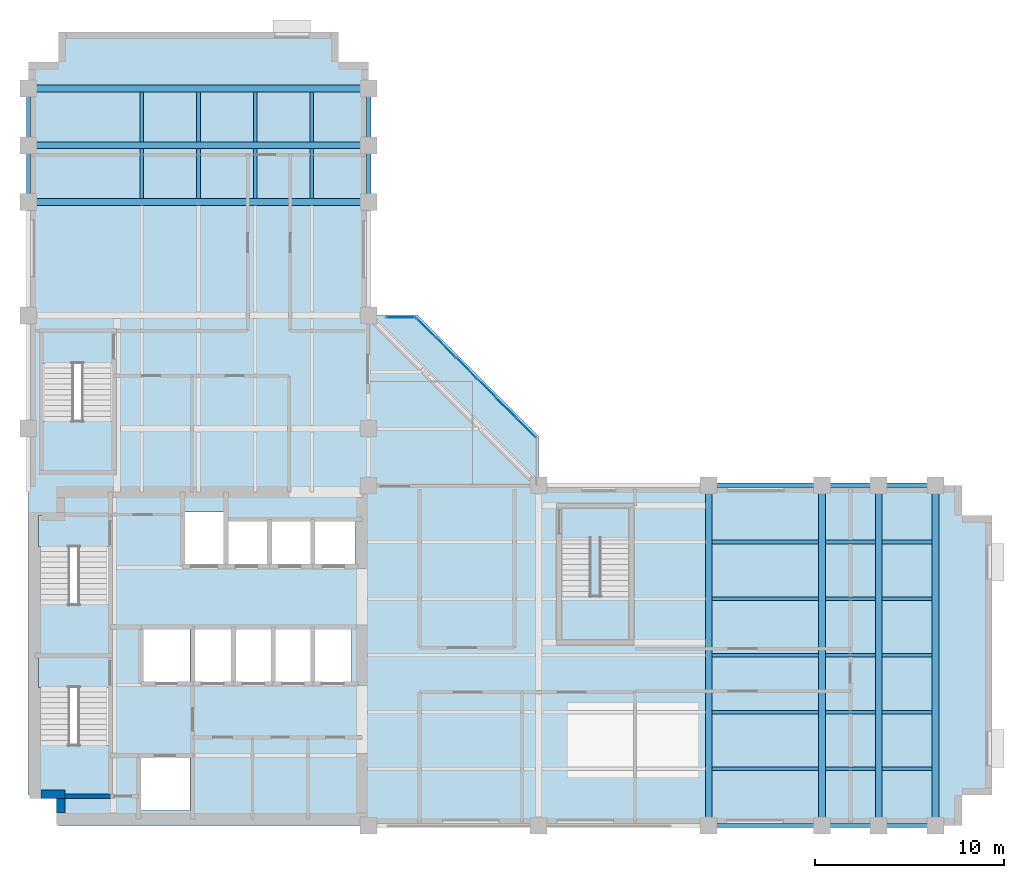
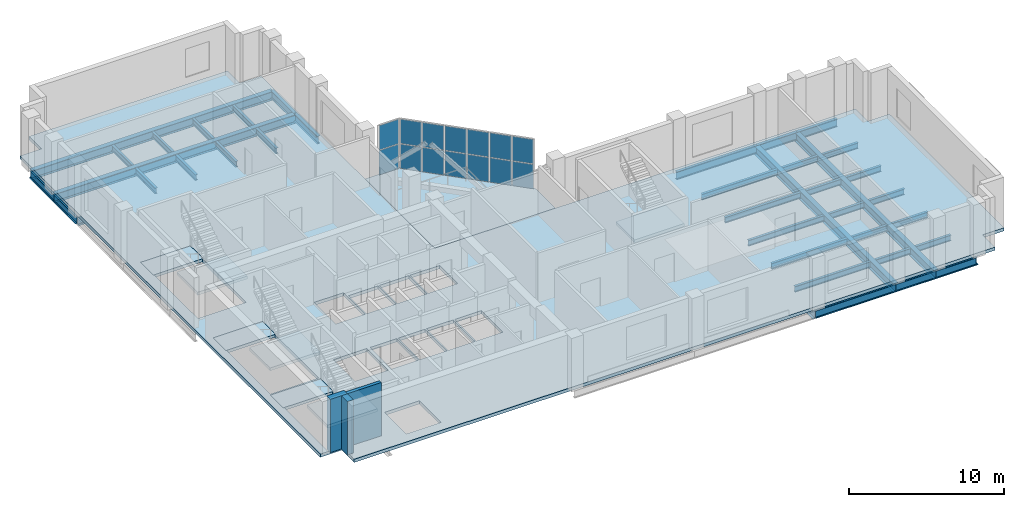
# One storey, part 4 of 9: 40 beams, 14 plates, 9 slabs, 3 walls, 6 elements without a shape of their own.
"""IFC4 building model written with IfcOpenShell, lengths in metres."""

import ifcopenshell
import ifcopenshell.guid

model = None  # the IFC model being written
_history = None  # IfcOwnerHistory: only IFC2X3 demands one
_inside = {}  # id of a spatial element -> (the spatial element, [elements in it])
_under = {}  # id of a project, library or spatial element -> (it, [spatial elements below it])
_declared = {}  # id of a project -> (the project, [libraries it declares])
_typed = {}  # id of a type object -> (the type object, [elements of that type])
_made_of = {}  # id of a material, layer set ... -> (it, [elements and type objects made of it])


def new_model(schema):
    """Start an empty IFC model of exactly this schema.

    Asked for "IFC4X3", IfcOpenShell would pick the latest addendum, in which some entities
    have other attributes; the version numbers below select the first issue.
    IFC2X3 requires an IfcOwnerHistory on every rooted entity: one is made here for all.
    """
    global model, _history
    if schema == "IFC4X3":
        model = ifcopenshell.file(schema_version=(4, 3, 0, 0))
    else:
        model = ifcopenshell.file(schema=schema)
    _inside.clear()
    _under.clear()
    _declared.clear()
    _typed.clear()
    _made_of.clear()
    _history = None
    if model.schema == "IFC2X3":
        org = make("IfcOrganization", Name="unknown")
        user = make(
            "IfcPersonAndOrganization",
            ThePerson=make("IfcPerson", FamilyName="unknown"),
            TheOrganization=org,
        )
        app = make(
            "IfcApplication",
            ApplicationDeveloper=org,
            Version="unknown",
            ApplicationFullName="unknown",
            ApplicationIdentifier="unknown",
        )
        _history = make(
            "IfcOwnerHistory",
            OwningUser=user,
            OwningApplication=app,
            ChangeAction="ADDED",
            CreationDate=0,
        )
    return model


def make(cls, **values):
    """One entity of the class cls with the attributes given. An attribute that is None is left unset."""
    return model.create_entity(
        cls, **{name: value for name, value in values.items() if value is not None}
    )


def rooted(cls, **values):
    """An entity with a GlobalId (a new one), such as an element, a storey or a relation."""
    return make(cls, GlobalId=ifcopenshell.guid.new(), OwnerHistory=_history, **values)


def si_unit(unit_type, name, prefix=None):
    """IfcSIUnit, for example si_unit("LENGTHUNIT", "METRE", prefix="MILLI")."""
    return make("IfcSIUnit", UnitType=unit_type, Prefix=prefix, Name=name)


def assignment(units):
    """IfcUnitAssignment: the units of a project."""
    return None if units is None else make("IfcUnitAssignment", Units=units)


def point(xyz):
    """IfcCartesianPoint."""
    return None if xyz is None else make("IfcCartesianPoint", Coordinates=xyz)


def direction(xyz):
    """IfcDirection."""
    return None if xyz is None else make("IfcDirection", DirectionRatios=xyz)


def frame(location, z_axis=None, x_axis=None):
    """IfcAxis2Placement3D, a coordinate frame: its origin and axes. An axis left out is left unset."""
    return make(
        "IfcAxis2Placement3D",
        Location=point(location),
        Axis=direction(z_axis),
        RefDirection=direction(x_axis),
    )


def frame_2d(location, x_axis=None):
    """IfcAxis2Placement2D, a coordinate frame in the plane: its origin and x axis."""
    return make(
        "IfcAxis2Placement2D", Location=point(location), RefDirection=direction(x_axis)
    )


def origin():
    """The frame at (0, 0, 0) with its axes left unset."""
    return frame((0.0, 0.0, 0.0))


def origin_2d():
    """The frame at (0, 0) in the plane with its x axis left unset."""
    return frame_2d((0.0, 0.0))


def place(relative_to, where):
    """IfcLocalPlacement: puts the frame where relative to a parent placement (None: the world)."""
    return make(
        "IfcLocalPlacement", PlacementRelTo=relative_to, RelativePlacement=where
    )


def context(
    kind, dimensions, precision=None, world=None, true_north=None, identifier=None
):
    """IfcGeometricRepresentationContext, for example the 3D "Model" context."""
    return make(
        "IfcGeometricRepresentationContext",
        ContextIdentifier=identifier,
        ContextType=kind,
        CoordinateSpaceDimension=dimensions,
        Precision=precision,
        WorldCoordinateSystem=world,
        TrueNorth=true_north,
    )


def subcontext(parent, identifier, kind, view, scale=None):
    """IfcGeometricRepresentationSubContext, for example "Body" below "Model"."""
    return make(
        "IfcGeometricRepresentationSubContext",
        ContextIdentifier=identifier,
        ContextType=kind,
        ParentContext=parent,
        TargetScale=scale,
        TargetView=view,
    )


def project(units=None, contexts=None):
    """IfcProject with its units and contexts."""
    return rooted(
        "IfcProject",
        Name="project",
        RepresentationContexts=contexts,
        UnitsInContext=assignment(units),
    )


def spatial(cls, under=None, at=None, **own):
    """A site, building, storey or space (cls), placed at a placement, below another one or the project."""
    s = rooted(cls, ObjectPlacement=at, **own)
    if under is not None:
        _under.setdefault(under.id(), (under, []))[1].append(s)
    return s


def polyline(points):
    """IfcPolyline through the points."""
    return make("IfcPolyline", Points=[point(p) for p in points])


def profile(cls, at=None, kind="AREA", **sizes):
    """A parametric profile (cls). Its sizes go by their IFC names, for example OverallWidth=200.0."""
    return make(cls, ProfileType=kind, Position=at, **sizes)


def rectangle(**sizes):
    """IfcRectangleProfileDef."""
    return profile("IfcRectangleProfileDef", **sizes)


def i_section(**sizes):
    """IfcIShapeProfileDef."""
    return profile("IfcIShapeProfileDef", **sizes)


def outline(outer, holes=None, kind="AREA"):
    """IfcArbitraryClosedProfileDef: a profile drawn as a closed curve; with holes, ...WithVoids."""
    if holes is None:
        return make("IfcArbitraryClosedProfileDef", ProfileType=kind, OuterCurve=outer)
    return make(
        "IfcArbitraryProfileDefWithVoids",
        ProfileType=kind,
        OuterCurve=outer,
        InnerCurves=holes,
    )


def extrude(swept, where, along, depth):
    """IfcExtrudedAreaSolid: the profile swept, set in the frame where, extruded along a direction by depth."""
    return make(
        "IfcExtrudedAreaSolid",
        SweptArea=swept,
        Position=where,
        ExtrudedDirection=direction(along),
        Depth=depth,
    )


def shape(context_of_items, identifier, shape_type, items):
    """IfcShapeRepresentation: the items that make up one representation, for example the "Body"."""
    return make(
        "IfcShapeRepresentation",
        ContextOfItems=context_of_items,
        RepresentationIdentifier=identifier,
        RepresentationType=shape_type,
        Items=items,
    )


def material(Name=None, Category=None):
    """IfcMaterial."""
    return make("IfcMaterial", Name=Name, Category=Category)


def layer(
    of_material, thickness, ventilated=None, Name=None, Category=None, Priority=None
):
    """IfcMaterialLayer: one layer of a wall or slab, of a material (None: an air gap)."""
    return make(
        "IfcMaterialLayer",
        Material=of_material,
        LayerThickness=thickness,
        IsVentilated=ventilated,
        Name=Name,
        Category=Category,
        Priority=Priority,
    )


def layer_set(layers, Name=None):
    """IfcMaterialLayerSet."""
    return make("IfcMaterialLayerSet", MaterialLayers=layers, LayerSetName=Name)


def material_profile(
    of_material, cross_section, Name=None, Category=None, Priority=None
):
    """IfcMaterialProfile: a cross section and its material."""
    return make(
        "IfcMaterialProfile",
        Name=Name,
        Material=of_material,
        Profile=cross_section,
        Priority=Priority,
        Category=Category,
    )


def profile_set(profiles, Name=None, composite=None):
    """IfcMaterialProfileSet."""
    return make(
        "IfcMaterialProfileSet",
        Name=Name,
        MaterialProfiles=profiles,
        CompositeProfile=composite,
    )


def made_of(thing, what):
    """Note that an element or type object is made of a material, layer set ...; save() writes the relation."""
    if what is not None:
        _made_of.setdefault(what.id(), (what, []))[1].append(thing)
    return thing


def type_object(cls, material=None, **own):
    """A type object (cls), such as IfcWallType, which elements share."""
    return made_of(rooted(cls, **own), material)


def element(
    cls,
    number,
    at=None,
    inside=None,
    cuts=None,
    type_object=None,
    material=None,
    context=None,
    identifier="Body",
    shape_type=None,
    held_by="IfcProductDefinitionShape",
    body=None,
    shapes=None,
    **own,
):
    """One element of the class cls, such as IfcWall. Its Tag is "e" and its number.

    at: its placement. inside: the storey or other place that contains it. cuts: it is an
    opening in that element (IfcRelVoidsElement). A single representation is given by context,
    identifier, shape_type and body (its items); several are given by shapes. held_by: the class
    of the entity that holds the representations. save() writes the other relations.
    """
    e = rooted(cls, Tag="e%d" % number, ObjectPlacement=at, **own)
    if body is not None:
        shapes = [shape(context, identifier, shape_type, body)]
    if shapes is not None:
        e.Representation = make(held_by, Representations=shapes)
    if inside is not None:
        _inside.setdefault(inside.id(), (inside, []))[1].append(e)
    if cuts is not None:
        rooted(
            "IfcRelVoidsElement", RelatingBuildingElement=cuts, RelatedOpeningElement=e
        )
    if type_object is not None:
        _typed.setdefault(type_object.id(), (type_object, []))[1].append(e)
    return made_of(e, material)


def aggregate(whole, parts):
    """IfcRelAggregates: a whole, such as a stair, and the parts it consists of."""
    return rooted("IfcRelAggregates", RelatingObject=whole, RelatedObjects=parts)


def save(model, path):
    """Write the relations noted so far, then the file.

    IfcRelAggregates (storeys below a building ...), IfcRelContainedInSpatialStructure (elements
    in a storey), IfcRelDefinesByType, IfcRelAssociatesMaterial and IfcRelDeclares: one each for
    every whole, place, type object, material and project.
    """
    for whole, parts in _under.values():
        aggregate(whole, parts)
    for where, things in _inside.values():
        rooted(
            "IfcRelContainedInSpatialStructure",
            RelatedElements=things,
            RelatingStructure=where,
        )
    for kind, things in _typed.values():
        rooted("IfcRelDefinesByType", RelatedObjects=things, RelatingType=kind)
    for what, things in _made_of.values():
        rooted("IfcRelAssociatesMaterial", RelatedObjects=things, RelatingMaterial=what)
    for by, libraries in _declared.values():
        rooted("IfcRelDeclares", RelatingContext=by, RelatedDefinitions=libraries)
    model.write(path)


model = new_model("IFC4")

# Units and contexts
model_context = context("Model", 3, precision=1e-05, world=origin(), true_north=direction((0.0, 1.0)))
body_context = subcontext(model_context, "Body", "Model", "MODEL_VIEW")
ifc_project = project(units=[si_unit("LENGTHUNIT", "METRE"), si_unit("AREAUNIT", "SQUARE_METRE"), si_unit("VOLUMEUNIT", "CUBIC_METRE"), si_unit("PLANEANGLEUNIT", "RADIAN"), si_unit("MASSUNIT", "GRAM", prefix="KILO")], contexts=[model_context])

# Site, building, storey
site_placement = place(None, origin())
site = spatial("IfcSite", under=ifc_project, at=site_placement, CompositionType="ELEMENT")
building_placement = place(site_placement, origin())
building = spatial("IfcBuilding", under=site, at=building_placement, Name="Mawjdan Bourse Tower", CompositionType="ELEMENT")
storey_placement = place(building_placement, frame((0.0, 0.0, 160.199951171875)))
storey = spatial("IfcBuildingStorey", under=building, at=storey_placement, Name="L38", CompositionType="ELEMENT", Elevation=160.199951171875)

# Beams
ifc_material_1 = material(Name="Structural Steel S355", Category="steel")
ifc_material_profile_1 = material_profile(ifc_material_1, i_section(OverallWidth=0.35498046875, OverallDepth=0.696044921875, WebThickness=0.015380859375, FlangeThickness=0.02490234375, FilletRadius=0.019775390625, at=origin_2d()), Name="W27X146")
ifc_profile_set_1 = profile_set([ifc_material_profile_1], Name="Structural Steel S355")
beam_type_1 = type_object("IfcBeamType", Name="GRD-W27X146", PredefinedType="BEAM", material=ifc_profile_set_1)
for number, where, z_axis, x_axis, name in (
    (1, (42.0, 3.0, -0.597900390625), (0.0, 1.0, 0.0), (-1.0, 0.0, 0.0), "L38 East Wing Clear-Span Girder 003"),
    (2, (48.0, 3.0, -0.597900390625), (0.0, 1.0, 0.0), (-1.0, 0.0, 0.0), "L38 East Wing Clear-Span Girder 004"),
    (3, (51.0, 3.0, -0.597900390625), (0.0, 1.0, 0.0), (-1.0, 0.0, 0.0), "L38 East Wing Clear-Span Girder 005"),
    (4, (54.0, 3.0, -0.597900390625), (0.0, 1.0, 0.0), (-1.0, 0.0, 0.0), "L38 East Wing Clear-Span Girder 006"),
    (5, (6.0, 36.0, -0.597900390625), (1.0, 0.0, 0.0), (0.0, 1.0, 0.0), "L38 North Wing Clear-Span Girder 053"),
    (6, (6.0, 39.0, -0.597900390625), (1.0, 0.0, 0.0), (0.0, 1.0, 0.0), "L38 North Wing Clear-Span Girder 054"),
    (7, (6.0, 42.0, -0.597900390625), (1.0, 0.0, 0.0), (0.0, 1.0, 0.0), "L38 North Wing Clear-Span Girder 055"),
):
    element("IfcBeam", number, at=place(storey_placement, frame(where, z_axis=z_axis, x_axis=x_axis)), inside=storey, type_object=beam_type_1, Name=name, PredefinedType="BEAM", context=body_context, shape_type="SweptSolid", body=[
        extrude(i_section(OverallWidth=0.35498046875, OverallDepth=0.696044921875, WebThickness=0.015380859375, FlangeThickness=0.02490234375, FilletRadius=0.019775390625, at=origin_2d()), origin(), (0.0, 0.0, 1.0), 18.0),
    ])
ifc_material_profile_2 = material_profile(ifc_material_1, i_section(OverallWidth=0.19189453125, OverallDepth=0.462890625, WebThickness=0.010498046875, FlangeThickness=0.017578125, FilletRadius=0.01416015625, at=origin_2d()), Name="W18X60")
ifc_profile_set_2 = profile_set([ifc_material_profile_2], Name="Structural Steel S355")
beam_type_2 = type_object("IfcBeamType", Name="JST-W18X60", PredefinedType="JOIST", material=ifc_profile_set_2)
beam_1_placement = place(storey_placement, frame((42.175537109375, 6.0, -0.4814453125), z_axis=(1.0, 0.0, 0.0), x_axis=(0.0, 1.0, 0.0)))
element("IfcBeam", 8, at=beam_1_placement, inside=storey, type_object=beam_type_2, Name="L38 East Wing Composite Joist 019", PredefinedType="JOIST", context=body_context, shape_type="SweptSolid", body=[
    extrude(i_section(OverallWidth=0.19189453125, OverallDepth=0.462890625, WebThickness=0.010498046875, FlangeThickness=0.017578125, FilletRadius=0.01416015625, at=origin_2d()), origin(), (0.0, 0.0, 1.0), 5.64892578125),
])
for number, where, z_axis, x_axis, name in (
    (9, (48.175537109375, 6.0, -0.4814453125), (1.0, 0.0, 0.0), (0.0, 1.0, 0.0), "L38 East Wing Composite Joist 020"),
    (10, (51.175537109375, 6.0, -0.4814453125), (1.0, 0.0, 0.0), (0.0, 1.0, 0.0), "L38 East Wing Composite Joist 021"),
):
    element("IfcBeam", number, at=place(storey_placement, frame(where, z_axis=z_axis, x_axis=x_axis)), inside=storey, type_object=beam_type_2, Name=name, PredefinedType="JOIST", context=body_context, shape_type="SweptSolid", body=[
        extrude(i_section(OverallWidth=0.19189453125, OverallDepth=0.462890625, WebThickness=0.010498046875, FlangeThickness=0.017578125, FilletRadius=0.01416015625, at=origin_2d()), origin(), (0.0, 0.0, 1.0), 2.64892578125),
    ])
beam_2_placement = place(storey_placement, frame((42.175537109375, 9.0, -0.4814453125), z_axis=(1.0, 0.0, 0.0), x_axis=(0.0, 1.0, 0.0)))
element("IfcBeam", 11, at=beam_2_placement, inside=storey, type_object=beam_type_2, Name="L38 East Wing Composite Joist 024", PredefinedType="JOIST", context=body_context, shape_type="SweptSolid", body=[
    extrude(i_section(OverallWidth=0.19189453125, OverallDepth=0.462890625, WebThickness=0.010498046875, FlangeThickness=0.017578125, FilletRadius=0.01416015625, at=origin_2d()), origin(), (0.0, 0.0, 1.0), 5.64892578125),
])
for number, where, z_axis, x_axis, name in (
    (12, (48.175537109375, 9.0, -0.4814453125), (1.0, 0.0, 0.0), (0.0, 1.0, 0.0), "L38 East Wing Composite Joist 025"),
    (13, (51.175537109375, 9.0, -0.4814453125), (1.0, 0.0, 0.0), (0.0, 1.0, 0.0), "L38 East Wing Composite Joist 026"),
):
    element("IfcBeam", number, at=place(storey_placement, frame(where, z_axis=z_axis, x_axis=x_axis)), inside=storey, type_object=beam_type_2, Name=name, PredefinedType="JOIST", context=body_context, shape_type="SweptSolid", body=[
        extrude(i_section(OverallWidth=0.19189453125, OverallDepth=0.462890625, WebThickness=0.010498046875, FlangeThickness=0.017578125, FilletRadius=0.01416015625, at=origin_2d()), origin(), (0.0, 0.0, 1.0), 2.64892578125),
    ])
beam_3_placement = place(storey_placement, frame((42.175537109375, 12.0, -0.4814453125), z_axis=(1.0, 0.0, 0.0), x_axis=(0.0, 1.0, 0.0)))
element("IfcBeam", 14, at=beam_3_placement, inside=storey, type_object=beam_type_2, Name="L38 East Wing Composite Joist 029", PredefinedType="JOIST", context=body_context, shape_type="SweptSolid", body=[
    extrude(i_section(OverallWidth=0.19189453125, OverallDepth=0.462890625, WebThickness=0.010498046875, FlangeThickness=0.017578125, FilletRadius=0.01416015625, at=origin_2d()), origin(), (0.0, 0.0, 1.0), 5.64892578125),
])
for number, where, z_axis, x_axis, name in (
    (15, (48.175537109375, 12.0, -0.4814453125), (1.0, 0.0, 0.0), (0.0, 1.0, 0.0), "L38 East Wing Composite Joist 030"),
    (16, (51.175537109375, 12.0, -0.4814453125), (1.0, 0.0, 0.0), (0.0, 1.0, 0.0), "L38 East Wing Composite Joist 031"),
):
    element("IfcBeam", number, at=place(storey_placement, frame(where, z_axis=z_axis, x_axis=x_axis)), inside=storey, type_object=beam_type_2, Name=name, PredefinedType="JOIST", context=body_context, shape_type="SweptSolid", body=[
        extrude(i_section(OverallWidth=0.19189453125, OverallDepth=0.462890625, WebThickness=0.010498046875, FlangeThickness=0.017578125, FilletRadius=0.01416015625, at=origin_2d()), origin(), (0.0, 0.0, 1.0), 2.64892578125),
    ])
beam_4_placement = place(storey_placement, frame((42.175537109375, 15.0, -0.4814453125), z_axis=(1.0, 0.0, 0.0), x_axis=(0.0, 1.0, 0.0)))
element("IfcBeam", 17, at=beam_4_placement, inside=storey, type_object=beam_type_2, Name="L38 East Wing Composite Joist 034", PredefinedType="JOIST", context=body_context, shape_type="SweptSolid", body=[
    extrude(i_section(OverallWidth=0.19189453125, OverallDepth=0.462890625, WebThickness=0.010498046875, FlangeThickness=0.017578125, FilletRadius=0.01416015625, at=origin_2d()), origin(), (0.0, 0.0, 1.0), 5.64892578125),
])
for number, where, z_axis, x_axis, name in (
    (18, (48.175537109375, 15.0, -0.4814453125), (1.0, 0.0, 0.0), (0.0, 1.0, 0.0), "L38 East Wing Composite Joist 035"),
    (19, (51.175537109375, 15.0, -0.4814453125), (1.0, 0.0, 0.0), (0.0, 1.0, 0.0), "L38 East Wing Composite Joist 036"),
):
    element("IfcBeam", number, at=place(storey_placement, frame(where, z_axis=z_axis, x_axis=x_axis)), inside=storey, type_object=beam_type_2, Name=name, PredefinedType="JOIST", context=body_context, shape_type="SweptSolid", body=[
        extrude(i_section(OverallWidth=0.19189453125, OverallDepth=0.462890625, WebThickness=0.010498046875, FlangeThickness=0.017578125, FilletRadius=0.01416015625, at=origin_2d()), origin(), (0.0, 0.0, 1.0), 2.64892578125),
    ])
beam_5_placement = place(storey_placement, frame((42.175537109375, 18.0, -0.4814453125), z_axis=(1.0, 0.0, 0.0), x_axis=(0.0, 1.0, 0.0)))
element("IfcBeam", 20, at=beam_5_placement, inside=storey, type_object=beam_type_2, Name="L38 East Wing Composite Joist 039", PredefinedType="JOIST", context=body_context, shape_type="SweptSolid", body=[
    extrude(i_section(OverallWidth=0.19189453125, OverallDepth=0.462890625, WebThickness=0.010498046875, FlangeThickness=0.017578125, FilletRadius=0.01416015625, at=origin_2d()), origin(), (0.0, 0.0, 1.0), 5.64892578125),
])
for number, where, z_axis, x_axis, name in (
    (21, (48.175537109375, 18.0, -0.4814453125), (1.0, 0.0, 0.0), (0.0, 1.0, 0.0), "L38 East Wing Composite Joist 040"),
    (22, (51.175537109375, 18.0, -0.4814453125), (1.0, 0.0, 0.0), (0.0, 1.0, 0.0), "L38 East Wing Composite Joist 041"),
    (23, (12.0, 36.175537109375, -0.4814453125), (0.0, 1.0, 0.0), (-1.0, 0.0, 0.0), "L38 North Wing Composite Joist 069"),
    (24, (12.0, 39.175537109375, -0.4814453125), (0.0, 1.0, 0.0), (-1.0, 0.0, 0.0), "L38 North Wing Composite Joist 070"),
    (25, (15.0, 36.175537109375, -0.4814453125), (0.0, 1.0, 0.0), (-1.0, 0.0, 0.0), "L38 North Wing Composite Joist 074"),
    (26, (15.0, 39.175537109375, -0.4814453125), (0.0, 1.0, 0.0), (-1.0, 0.0, 0.0), "L38 North Wing Composite Joist 075"),
    (27, (18.0, 36.175537109375, -0.4814453125), (0.0, 1.0, 0.0), (-1.0, 0.0, 0.0), "L38 North Wing Composite Joist 079"),
    (28, (18.0, 39.175537109375, -0.4814453125), (0.0, 1.0, 0.0), (-1.0, 0.0, 0.0), "L38 North Wing Composite Joist 080"),
    (29, (21.0, 36.175537109375, -0.4814453125), (0.0, 1.0, 0.0), (-1.0, 0.0, 0.0), "L38 North Wing Composite Joist 084"),
    (30, (21.0, 39.175537109375, -0.4814453125), (0.0, 1.0, 0.0), (-1.0, 0.0, 0.0), "L38 North Wing Composite Joist 085"),
):
    element("IfcBeam", number, at=place(storey_placement, frame(where, z_axis=z_axis, x_axis=x_axis)), inside=storey, type_object=beam_type_2, Name=name, PredefinedType="JOIST", context=body_context, shape_type="SweptSolid", body=[
        extrude(i_section(OverallWidth=0.19189453125, OverallDepth=0.462890625, WebThickness=0.010498046875, FlangeThickness=0.017578125, FilletRadius=0.01416015625, at=origin_2d()), origin(), (0.0, 0.0, 1.0), 2.64892578125),
    ])
ifc_material_profile_3 = material_profile(ifc_material_1, i_section(OverallWidth=0.22998046875, OverallDepth=0.616943359375, WebThickness=0.01318359375, FlangeThickness=0.022216796875, FilletRadius=0.017822265625, at=origin_2d()), Name="W24X94")
ifc_profile_set_3 = profile_set([ifc_material_profile_3], Name="Structural Steel S355")
beam_type_3 = type_object("IfcBeamType", Name="SPN-W24X94", PredefinedType="SPANDREL", material=ifc_profile_set_3)
beam_6_placement = place(storey_placement, frame((42.0, 3.0, -0.558349609375), z_axis=(1.0, 0.0, 0.0), x_axis=(0.0, 1.0, 0.0)))
element("IfcBeam", 31, at=beam_6_placement, inside=storey, type_object=beam_type_3, Name="L38 Perimeter Masonry-Shelf Spandrel 009", PredefinedType="SPANDREL", context=body_context, shape_type="SweptSolid", body=[
    extrude(i_section(OverallWidth=0.22998046875, OverallDepth=0.616943359375, WebThickness=0.01318359375, FlangeThickness=0.022216796875, FilletRadius=0.017822265625, at=origin_2d()), origin(), (0.0, 0.0, 1.0), 6.0),
])
for number, where, z_axis, x_axis, name in (
    (32, (48.0, 3.0, -0.558349609375), (1.0, 0.0, 0.0), (0.0, 1.0, 0.0), "L38 Perimeter Masonry-Shelf Spandrel 010"),
    (33, (51.0, 3.0, -0.558349609375), (1.0, 0.0, 0.0), (0.0, 1.0, 0.0), "L38 Perimeter Masonry-Shelf Spandrel 011"),
):
    element("IfcBeam", number, at=place(storey_placement, frame(where, z_axis=z_axis, x_axis=x_axis)), inside=storey, type_object=beam_type_3, Name=name, PredefinedType="SPANDREL", context=body_context, shape_type="SweptSolid", body=[
        extrude(i_section(OverallWidth=0.22998046875, OverallDepth=0.616943359375, WebThickness=0.01318359375, FlangeThickness=0.022216796875, FilletRadius=0.017822265625, at=origin_2d()), origin(), (0.0, 0.0, 1.0), 3.0),
    ])
beam_7_placement = place(storey_placement, frame((42.0, 21.0, -0.558349609375), z_axis=(1.0, 0.0, 0.0), x_axis=(0.0, 1.0, 0.0)))
element("IfcBeam", 34, at=beam_7_placement, inside=storey, type_object=beam_type_3, Name="L38 Perimeter Masonry-Shelf Spandrel 014", PredefinedType="SPANDREL", context=body_context, shape_type="SweptSolid", body=[
    extrude(i_section(OverallWidth=0.22998046875, OverallDepth=0.616943359375, WebThickness=0.01318359375, FlangeThickness=0.022216796875, FilletRadius=0.017822265625, at=origin_2d()), origin(), (0.0, 0.0, 1.0), 6.0),
])
for number, where, z_axis, x_axis, name in (
    (35, (48.0, 21.0, -0.558349609375), (1.0, 0.0, 0.0), (0.0, 1.0, 0.0), "L38 Perimeter Masonry-Shelf Spandrel 015"),
    (36, (51.0, 21.0, -0.558349609375), (1.0, 0.0, 0.0), (0.0, 1.0, 0.0), "L38 Perimeter Masonry-Shelf Spandrel 016"),
    (37, (6.0, 36.0, -0.558349609375), (0.0, 1.0, 0.0), (-1.0, 0.0, 0.0), "L38 North Wing Spandrel 059"),
    (38, (6.0, 39.0, -0.558349609375), (0.0, 1.0, 0.0), (-1.0, 0.0, 0.0), "L38 North Wing Spandrel 060"),
    (39, (24.0, 36.0, -0.558349609375), (0.0, 1.0, 0.0), (-1.0, 0.0, 0.0), "L38 North Wing Spandrel 064"),
    (40, (24.0, 39.0, -0.558349609375), (0.0, 1.0, 0.0), (-1.0, 0.0, 0.0), "L38 North Wing Spandrel 065"),
):
    element("IfcBeam", number, at=place(storey_placement, frame(where, z_axis=z_axis, x_axis=x_axis)), inside=storey, type_object=beam_type_3, Name=name, PredefinedType="SPANDREL", context=body_context, shape_type="SweptSolid", body=[
        extrude(i_section(OverallWidth=0.22998046875, OverallDepth=0.616943359375, WebThickness=0.01318359375, FlangeThickness=0.022216796875, FilletRadius=0.017822265625, at=origin_2d()), origin(), (0.0, 0.0, 1.0), 3.0),
    ])

# Curtain wall, plates
ifc_material_2 = material(Name="Thermally Broken Aluminium and Solar Glass", Category="aluminium")
ifc_layer_1 = layer(ifc_material_2, 0.219970703125)
ifc_layer_set_1 = layer_set([ifc_layer_1], Name="Thermally Broken Aluminium and Solar Glass")
curtain_wall_type = type_object("IfcCurtainWallType", Name="CW-BRG", PredefinedType="USERDEFINED", material=ifc_layer_set_1)
curtain_wall_1_placement = place(storey_placement, origin())
curtain_wall_1 = element("IfcCurtainWall", 41, at=curtain_wall_1_placement, inside=storey, type_object=curtain_wall_type, Name="L38 Atrium Sky Bridge Diagonal Curtain Wall", ObjectType="SKY BRIDGE CURTAIN WALL", PredefinedType="USERDEFINED")
ifc_material_3 = material(Name="Acoustic Laminated Sky-Bridge Glass", Category="glass")
ifc_layer_2 = layer(ifc_material_3, 0.033935546875)
ifc_layer_set_2 = layer_set([ifc_layer_2], Name="Acoustic Laminated Sky-Bridge Glass")
plate_type = type_object("IfcPlateType", Name="PNL-CW-BRG", PredefinedType="CURTAIN_PANEL", material=ifc_layer_set_2)
plate_1_placement = place(storey_placement, frame((32.3369140625, 24.043212890625, 0.05517578125), z_axis=(0.0, 0.0, 1.0), x_axis=(-0.707106781187, 0.707106781187, 0.0)))
plate_1 = element("IfcPlate", 42, at=plate_1_placement, type_object=plate_type, Name="CW-BRG-L38-BRG-DIAG panel 1.1", PredefinedType="CURTAIN_PANEL", context=body_context, shape_type="SweptSolid", body=[
    extrude(rectangle(XDim=1.40625, YDim=0.033935546875, at=origin_2d()), origin(), (0.0, 0.0, 1.0), 1.91748046875),
])
plate_2_placement = place(storey_placement, frame((32.3369140625, 24.043212890625, 2.027587890625), z_axis=(0.0, 0.0, 1.0), x_axis=(-0.707106781187, 0.707106781187, 0.0)))
plate_2 = element("IfcPlate", 43, at=plate_2_placement, type_object=plate_type, Name="CW-BRG-L38-BRG-DIAG panel 1.2", PredefinedType="CURTAIN_PANEL", context=body_context, shape_type="SweptSolid", body=[
    extrude(rectangle(XDim=1.40625, YDim=0.033935546875, at=origin_2d()), origin(), (0.0, 0.0, 1.0), 1.91748046875),
])
plate_3_placement = place(storey_placement, frame((31.284912109375, 25.094970703125, 0.05517578125), z_axis=(0.0, 0.0, 1.0), x_axis=(-0.707106781187, 0.707106781187, 0.0)))
plate_3 = element("IfcPlate", 44, at=plate_3_placement, type_object=plate_type, Name="CW-BRG-L38-BRG-DIAG panel 2.1", PredefinedType="CURTAIN_PANEL", context=body_context, shape_type="SweptSolid", body=[
    extrude(rectangle(XDim=1.438720703125, YDim=0.033935546875, at=origin_2d()), origin(), (0.0, 0.0, 1.0), 1.91748046875),
])
plate_4_placement = place(storey_placement, frame((31.284912109375, 25.094970703125, 2.027587890625), z_axis=(0.0, 0.0, 1.0), x_axis=(-0.707106781187, 0.707106781187, 0.0)))
plate_4 = element("IfcPlate", 45, at=plate_4_placement, type_object=plate_type, Name="CW-BRG-L38-BRG-DIAG panel 2.2", PredefinedType="CURTAIN_PANEL", context=body_context, shape_type="SweptSolid", body=[
    extrude(rectangle(XDim=1.438720703125, YDim=0.033935546875, at=origin_2d()), origin(), (0.0, 0.0, 1.0), 1.91748046875),
])
plate_5_placement = place(storey_placement, frame((30.2216796875, 26.158447265625, 0.05517578125), z_axis=(0.0, 0.0, 1.0), x_axis=(-0.707106781187, 0.707106781187, 0.0)))
plate_5 = element("IfcPlate", 46, at=plate_5_placement, type_object=plate_type, Name="CW-BRG-L38-BRG-DIAG panel 3.1", PredefinedType="CURTAIN_PANEL", context=body_context, shape_type="SweptSolid", body=[
    extrude(rectangle(XDim=1.438720703125, YDim=0.033935546875, at=origin_2d()), origin(), (0.0, 0.0, 1.0), 1.91748046875),
])
plate_6_placement = place(storey_placement, frame((30.2216796875, 26.158447265625, 2.027587890625), z_axis=(0.0, 0.0, 1.0), x_axis=(-0.707106781187, 0.707106781187, 0.0)))
plate_6 = element("IfcPlate", 47, at=plate_6_placement, type_object=plate_type, Name="CW-BRG-L38-BRG-DIAG panel 3.2", PredefinedType="CURTAIN_PANEL", context=body_context, shape_type="SweptSolid", body=[
    extrude(rectangle(XDim=1.438720703125, YDim=0.033935546875, at=origin_2d()), origin(), (0.0, 0.0, 1.0), 1.91748046875),
])
plate_7_placement = place(storey_placement, frame((29.158447265625, 27.2216796875, 0.05517578125), z_axis=(0.0, 0.0, 1.0), x_axis=(-0.707106781187, 0.707106781187, 0.0)))
plate_7 = element("IfcPlate", 48, at=plate_7_placement, type_object=plate_type, Name="CW-BRG-L38-BRG-DIAG panel 4.1", PredefinedType="CURTAIN_PANEL", context=body_context, shape_type="SweptSolid", body=[
    extrude(rectangle(XDim=1.438720703125, YDim=0.033935546875, at=origin_2d()), origin(), (0.0, 0.0, 1.0), 1.91748046875),
])
plate_8_placement = place(storey_placement, frame((29.158447265625, 27.2216796875, 2.027587890625), z_axis=(0.0, 0.0, 1.0), x_axis=(-0.707106781187, 0.707106781187, 0.0)))
plate_8 = element("IfcPlate", 49, at=plate_8_placement, type_object=plate_type, Name="CW-BRG-L38-BRG-DIAG panel 4.2", PredefinedType="CURTAIN_PANEL", context=body_context, shape_type="SweptSolid", body=[
    extrude(rectangle(XDim=1.438720703125, YDim=0.033935546875, at=origin_2d()), origin(), (0.0, 0.0, 1.0), 1.91748046875),
])
plate_9_placement = place(storey_placement, frame((28.094970703125, 28.284912109375, 0.05517578125), z_axis=(0.0, 0.0, 1.0), x_axis=(-0.707106781187, 0.707106781187, 0.0)))
plate_9 = element("IfcPlate", 50, at=plate_9_placement, type_object=plate_type, Name="CW-BRG-L38-BRG-DIAG panel 5.1", PredefinedType="CURTAIN_PANEL", context=body_context, shape_type="SweptSolid", body=[
    extrude(rectangle(XDim=1.438720703125, YDim=0.033935546875, at=origin_2d()), origin(), (0.0, 0.0, 1.0), 1.91748046875),
])
plate_10_placement = place(storey_placement, frame((28.094970703125, 28.284912109375, 2.027587890625), z_axis=(0.0, 0.0, 1.0), x_axis=(-0.707106781187, 0.707106781187, 0.0)))
plate_10 = element("IfcPlate", 51, at=plate_10_placement, type_object=plate_type, Name="CW-BRG-L38-BRG-DIAG panel 5.2", PredefinedType="CURTAIN_PANEL", context=body_context, shape_type="SweptSolid", body=[
    extrude(rectangle(XDim=1.438720703125, YDim=0.033935546875, at=origin_2d()), origin(), (0.0, 0.0, 1.0), 1.91748046875),
])
plate_11_placement = place(storey_placement, frame((27.043212890625, 29.3369140625, 0.05517578125), z_axis=(0.0, 0.0, 1.0), x_axis=(-0.707106781187, 0.707106781187, 0.0)))
plate_11 = element("IfcPlate", 52, at=plate_11_placement, type_object=plate_type, Name="CW-BRG-L38-BRG-DIAG panel 6.1", PredefinedType="CURTAIN_PANEL", context=body_context, shape_type="SweptSolid", body=[
    extrude(rectangle(XDim=1.40625, YDim=0.033935546875, at=origin_2d()), origin(), (0.0, 0.0, 1.0), 1.91748046875),
])
plate_12_placement = place(storey_placement, frame((27.043212890625, 29.3369140625, 2.027587890625), z_axis=(0.0, 0.0, 1.0), x_axis=(-0.707106781187, 0.707106781187, 0.0)))
plate_12 = element("IfcPlate", 53, at=plate_12_placement, type_object=plate_type, Name="CW-BRG-L38-BRG-DIAG panel 6.2", PredefinedType="CURTAIN_PANEL", context=body_context, shape_type="SweptSolid", body=[
    extrude(rectangle(XDim=1.40625, YDim=0.033935546875, at=origin_2d()), origin(), (0.0, 0.0, 1.0), 1.91748046875),
])
aggregate(curtain_wall_1, [plate_1, plate_2, plate_3, plate_4, plate_5, plate_6, plate_7, plate_8, plate_9, plate_10, plate_11, plate_12])

curtain_wall_2_placement = place(storey_placement, origin())
curtain_wall_2 = element("IfcCurtainWall", 54, at=curtain_wall_2_placement, inside=storey, type_object=curtain_wall_type, Name="L38 Atrium Sky Bridge North Return Curtain Wall", ObjectType="SKY BRIDGE CURTAIN WALL", PredefinedType="USERDEFINED")
plate_13_placement = place(storey_placement, frame((25.699951171875, 29.8798828125, 0.05517578125), z_axis=(0.0, 0.0, 1.0), x_axis=(-1.0, 0.0, 0.0)))
plate_13 = element("IfcPlate", 55, at=plate_13_placement, type_object=plate_type, Name="CW-BRG-L38-BRG-N panel 1.1", PredefinedType="CURTAIN_PANEL", context=body_context, shape_type="SweptSolid", body=[
    extrude(rectangle(XDim=1.469970703125, YDim=0.033935546875, at=origin_2d()), origin(), (0.0, 0.0, 1.0), 1.91748046875),
])
plate_14_placement = place(storey_placement, frame((25.699951171875, 29.8798828125, 2.027587890625), z_axis=(0.0, 0.0, 1.0), x_axis=(-1.0, 0.0, 0.0)))
plate_14 = element("IfcPlate", 56, at=plate_14_placement, type_object=plate_type, Name="CW-BRG-L38-BRG-N panel 1.2", PredefinedType="CURTAIN_PANEL", context=body_context, shape_type="SweptSolid", body=[
    extrude(rectangle(XDim=1.469970703125, YDim=0.033935546875, at=origin_2d()), origin(), (0.0, 0.0, 1.0), 1.91748046875),
])
aggregate(curtain_wall_2, [plate_13, plate_14])

# Stair, slabs
ifc_material_4 = material(Name="Concrete C50/60", Category="concrete")
stair_type_1 = type_object("IfcStairType", Name="STR-CORE-1500", PredefinedType="HALF_TURN_STAIR", material=ifc_material_4)
stair_1_placement = place(storey_placement, origin())
stair_1 = element("IfcStair", 57, at=stair_1_placement, inside=storey, type_object=stair_type_1, Name="L38 Exit Stair 1 (Core South-West)", PredefinedType="HALF_TURN_STAIR")
ifc_layer_3 = layer(ifc_material_4, 0.22998046875)
ifc_layer_set_3 = layer_set([ifc_layer_3], Name="Concrete C50/60")
slab_type_1 = type_object("IfcSlabType", Name="SL-LND-230", PredefinedType="LANDING", material=ifc_layer_set_3)
slab_1_placement = place(storey_placement, frame((0.0, 0.0, -0.22998046875)))
slab_1 = element("IfcSlab", 58, at=slab_1_placement, type_object=slab_type_1, Name="ST1-L38 landing 1", PredefinedType="LANDING", context=body_context, shape_type="SweptSolid", body=[
    extrude(outline(polyline([(6.5400390625, 10.31005859375), (10.260009765625, 10.31005859375), (10.260009765625, 11.969970703125), (6.5400390625, 11.969970703125), (6.5400390625, 10.31005859375)])), origin(), (0.0, 0.0, 1.0), 0.22998046875),
])
slab_2_placement = place(storey_placement, frame((0.0, 0.0, 1.8701171875)))
slab_2 = element("IfcSlab", 59, at=slab_2_placement, type_object=slab_type_1, Name="ST1-L38 landing 2", PredefinedType="LANDING", context=body_context, shape_type="SweptSolid", body=[
    extrude(outline(polyline([(6.5400390625, 4.590087890625), (10.260009765625, 4.590087890625), (10.260009765625, 7.2548828125), (6.5400390625, 7.2548828125), (6.5400390625, 4.590087890625)])), origin(), (0.0, 0.0, 1.0), 0.22998046875),
])
aggregate(stair_1, [slab_1, slab_2])

stair_2_placement = place(storey_placement, origin())
stair_2 = element("IfcStair", 60, at=stair_2_placement, inside=storey, type_object=stair_type_1, Name="L38 Exit Stair 2 (Core North-West)", PredefinedType="HALF_TURN_STAIR")
slab_3_placement = place(storey_placement, frame((0.0, 0.0, -0.22998046875)))
slab_3 = element("IfcSlab", 61, at=slab_3_placement, type_object=slab_type_1, Name="ST2-L38 landing 1", PredefinedType="LANDING", context=body_context, shape_type="SweptSolid", body=[
    extrude(outline(polyline([(6.5400390625, 17.75), (10.260009765625, 17.75), (10.260009765625, 19.409912109375), (6.5400390625, 19.409912109375), (6.5400390625, 17.75)])), origin(), (0.0, 0.0, 1.0), 0.22998046875),
])
slab_4_placement = place(storey_placement, frame((0.0, 0.0, 1.8701171875)))
slab_4 = element("IfcSlab", 62, at=slab_4_placement, type_object=slab_type_1, Name="ST2-L38 landing 2", PredefinedType="LANDING", context=body_context, shape_type="SweptSolid", body=[
    extrude(outline(polyline([(6.5400390625, 12.030029296875), (10.260009765625, 12.030029296875), (10.260009765625, 14.695068359375), (6.5400390625, 14.695068359375), (6.5400390625, 12.030029296875)])), origin(), (0.0, 0.0, 1.0), 0.22998046875),
])
aggregate(stair_2, [slab_3, slab_4])

stair_3_placement = place(storey_placement, origin())
stair_3 = element("IfcStair", 63, at=stair_3_placement, inside=storey, type_object=stair_type_1, Name="L38 Exit Stair 3 (North Wing)", PredefinedType="HALF_TURN_STAIR")
slab_5_placement = place(storey_placement, frame((0.0, 0.0, -0.22998046875)))
slab_5 = element("IfcSlab", 64, at=slab_5_placement, type_object=slab_type_1, Name="ST3-L38 landing 1", PredefinedType="LANDING", context=body_context, shape_type="SweptSolid", body=[
    extrude(outline(polyline([(6.739990234375, 27.4599609375), (10.4599609375, 27.4599609375), (10.4599609375, 29.1201171875), (6.739990234375, 29.1201171875), (6.739990234375, 27.4599609375)])), origin(), (0.0, 0.0, 1.0), 0.22998046875),
])
slab_6_placement = place(storey_placement, frame((0.0, 0.0, 1.8701171875)))
slab_6 = element("IfcSlab", 65, at=slab_6_placement, type_object=slab_type_1, Name="ST3-L38 landing 2", PredefinedType="LANDING", context=body_context, shape_type="SweptSolid", body=[
    extrude(outline(polyline([(6.739990234375, 21.739990234375), (10.4599609375, 21.739990234375), (10.4599609375, 24.405029296875), (6.739990234375, 24.405029296875), (6.739990234375, 21.739990234375)])), origin(), (0.0, 0.0, 1.0), 0.22998046875),
])
aggregate(stair_3, [slab_5, slab_6])

# Stair, slab
stair_type_2 = type_object("IfcStairType", Name="STR-SKY-1500", PredefinedType="HALF_TURN_STAIR", material=ifc_material_1)
stair_4_placement = place(storey_placement, origin())
stair_4 = element("IfcStair", 66, at=stair_4_placement, inside=storey, type_object=stair_type_2, Name="L38 Sky Lobby 2 Feature Stair", PredefinedType="HALF_TURN_STAIR")
slab_7_placement = place(storey_placement, frame((0.0, 0.0, 1.8701171875)))
slab_7 = element("IfcSlab", 67, at=slab_7_placement, type_object=slab_type_1, Name="ST5B-L38 landing 1", PredefinedType="LANDING", context=body_context, shape_type="SweptSolid", body=[
    extrude(outline(polyline([(34.139892578125, 12.739990234375), (37.860107421875, 12.739990234375), (37.860107421875, 15.14501953125), (34.139892578125, 15.14501953125), (34.139892578125, 12.739990234375)])), origin(), (0.0, 0.0, 1.0), 0.22998046875),
])
aggregate(stair_4, [slab_7])

# Slabs
ifc_layer_4 = layer(ifc_material_4, 0.25)
ifc_layer_set_4 = layer_set([ifc_layer_4], Name="Concrete C50/60")
slab_type_2 = type_object("IfcSlabType", Name="SL-SKY-250", PredefinedType="FLOOR", material=ifc_layer_set_4)
slab_8_placement = place(storey_placement, frame((0.0, 0.0, -0.25)))
element("IfcSlab", 68, at=slab_8_placement, inside=storey, type_object=slab_type_2, Name="L38 Structural Floor Slab 1", PredefinedType="FLOOR", context=body_context, shape_type="SweptSolid", body=[
    extrude(outline(polyline([(7.60009765625, 3.0), (55.39990234375, 3.0), (55.39990234375, 4.60009765625), (57.0, 4.60009765625), (57.0, 19.39990234375), (55.39990234375, 19.39990234375), (55.39990234375, 21.0), (24.0, 21.0), (24.0, 43.39990234375), (22.39990234375, 43.39990234375), (22.39990234375, 45.0), (7.60009765625, 45.0), (7.60009765625, 43.39990234375), (6.0, 43.39990234375), (6.0, 4.60009765625), (7.60009765625, 4.60009765625), (7.60009765625, 3.0)]), holes=[polyline([(11.949951171875, 3.800048828125), (11.949951171875, 6.60009765625), (14.550048828125, 6.60009765625), (14.550048828125, 3.800048828125), (11.949951171875, 3.800048828125)]), polyline([(6.60009765625, 10.31005859375), (6.5400390625, 10.31005859375), (6.5400390625, 11.969970703125), (10.260009765625, 11.969970703125), (10.260009765625, 10.31005859375), (10.199951171875, 10.31005859375), (10.199951171875, 4.64990234375), (6.60009765625, 4.64990234375), (6.60009765625, 10.31005859375)]), polyline([(12.050048828125, 10.60009765625), (12.050048828125, 13.39990234375), (14.550048828125, 13.39990234375), (14.550048828125, 10.60009765625), (12.050048828125, 10.60009765625)]), polyline([(10.260009765625, 19.409912109375), (10.260009765625, 17.75), (10.199951171875, 17.75), (10.199951171875, 12.090087890625), (6.60009765625, 12.090087890625), (6.60009765625, 17.75), (6.5400390625, 17.75), (6.5400390625, 19.409912109375), (10.260009765625, 19.409912109375)]), polyline([(10.4599609375, 29.1201171875), (10.4599609375, 27.4599609375), (10.39990234375, 27.4599609375), (10.39990234375, 21.800048828125), (6.800048828125, 21.800048828125), (6.800048828125, 27.4599609375), (6.739990234375, 27.4599609375), (6.739990234375, 29.1201171875), (10.4599609375, 29.1201171875)]), polyline([(14.800048828125, 10.60009765625), (14.800048828125, 13.39990234375), (16.800048828125, 13.39990234375), (16.800048828125, 10.60009765625), (14.800048828125, 10.60009765625)]), polyline([(16.89990234375, 10.60009765625), (16.89990234375, 13.39990234375), (18.89990234375, 13.39990234375), (18.89990234375, 10.60009765625), (16.89990234375, 10.60009765625)]), polyline([(19.0, 10.60009765625), (19.0, 13.39990234375), (21.0, 13.39990234375), (21.0, 10.60009765625), (19.0, 10.60009765625)]), polyline([(21.10009765625, 10.60009765625), (21.10009765625, 13.39990234375), (23.10009765625, 13.39990234375), (23.10009765625, 10.60009765625), (21.10009765625, 10.60009765625)]), polyline([(16.5, 16.800048828125), (16.5, 19.14990234375), (18.699951171875, 19.14990234375), (18.699951171875, 16.800048828125), (16.5, 16.800048828125)]), polyline([(18.800048828125, 16.800048828125), (18.800048828125, 19.14990234375), (21.0, 19.14990234375), (21.0, 16.800048828125), (18.800048828125, 16.800048828125)]), polyline([(21.10009765625, 16.800048828125), (21.10009765625, 19.14990234375), (23.300048828125, 19.14990234375), (23.300048828125, 16.800048828125), (21.10009765625, 16.800048828125)]), polyline([(14.199951171875, 16.800048828125), (14.199951171875, 19.60009765625), (16.39990234375, 19.60009765625), (16.39990234375, 16.800048828125), (14.199951171875, 16.800048828125)])]), origin(), (0.0, 0.0, 1.0), 0.25),
])
slab_9_placement = place(storey_placement, frame((0.0, 0.0, -0.25)))
element("IfcSlab", 69, at=slab_9_placement, inside=storey, type_object=slab_type_2, Name="L38 Atrium Sky Bridge Slab", PredefinedType="FLOOR", context=body_context, shape_type="SweptSolid", body=[
    extrude(outline(polyline([(24.0, 21.0), (33.0, 21.0), (33.0, 23.60009765625), (26.60009765625, 30.0), (24.0, 30.0), (24.0, 21.0)])), origin(), (0.0, 0.0, 1.0), 0.25),
])

# Walls
ifc_material_5 = material(Name="Concrete C60/75", Category="concrete")
ifc_layer_5 = layer(ifc_material_5, 0.449951171875)
ifc_layer_set_5 = layer_set([ifc_layer_5], Name="Concrete C60/75")
wall_type_1 = type_object("IfcWallType", Name="WL-CORE-450", PredefinedType="SHEAR", material=ifc_layer_set_5)
wall_1_placement = place(storey_placement, frame((6.64990234375, 4.64990234375, 0.0), z_axis=(0.0, 0.0, 1.0), x_axis=(1.0, 0.0, 0.0)))
element("IfcWall", 70, at=wall_1_placement, inside=storey, type_object=wall_type_1, Name="L38 Rear Core Shear Wall SW-X", PredefinedType="SHEAR", context=body_context, shape_type="SweptSolid", body=[
    extrude(rectangle(XDim=1.275146484375, YDim=0.449951171875, at=frame_2d((0.6376953125, 0.0))), origin(), (0.0, 0.0, 1.0), 4.199951171875),
])
wall_2_placement = place(storey_placement, frame((7.699951171875, 3.64990234375, 0.0), z_axis=(0.0, 0.0, 1.0), x_axis=(0.0, 1.0, 0.0)))
element("IfcWall", 71, at=wall_2_placement, inside=storey, type_object=wall_type_1, Name="L38 Rear Core Shear Wall SW-Y", PredefinedType="SHEAR", context=body_context, shape_type="SweptSolid", body=[
    extrude(rectangle(XDim=0.775146484375, YDim=0.449951171875, at=frame_2d((0.3876953125, 0.0))), origin(), (0.0, 0.0, 1.0), 4.199951171875),
])
ifc_layer_6 = layer(ifc_material_4, 0.25)
ifc_layer_set_6 = layer_set([ifc_layer_6], Name="Concrete C50/60")
wall_type_2 = type_object("IfcWallType", Name="WL-STRW-250", PredefinedType="SHEAR", material=ifc_layer_set_6)
wall_3_placement = place(storey_placement, frame((7.699951171875, 4.550048828125, 0.0), z_axis=(0.0, 0.0, 1.0), x_axis=(1.0, 0.0, 0.0)))
element("IfcWall", 72, at=wall_3_placement, inside=storey, type_object=wall_type_2, Name="L38 Stairwell ST1 South Shaft Wall", PredefinedType="SHEAR", context=body_context, shape_type="SweptSolid", body=[
    extrude(rectangle(XDim=2.755126953125, YDim=0.25, at=frame_2d((1.37744140625, 0.0))), origin(), (0.0, 0.0, 1.0), 4.199951171875),
])

save(model, "model.ifc")
